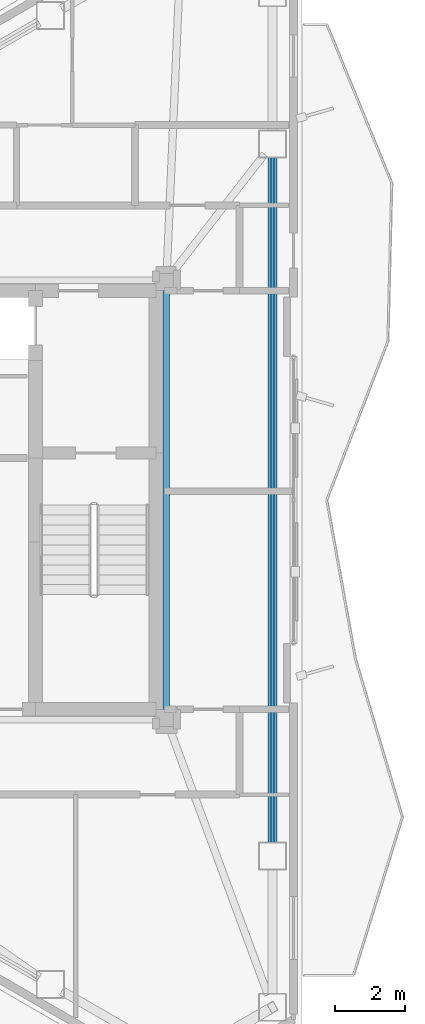
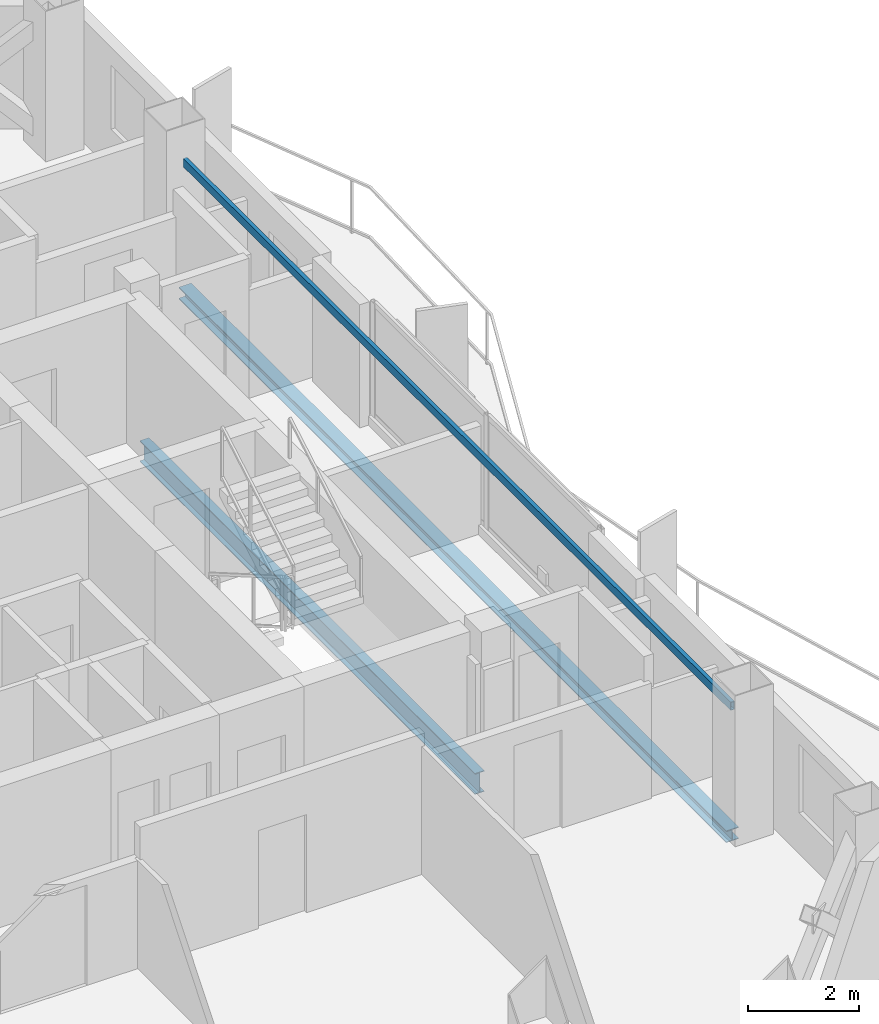
# One storey, part 11 of 18: 3 beams.
"""IFC4 building model written with IfcOpenShell, lengths in metres."""

from ifc_helpers import new_model, si_unit, direction, frame, origin, origin_2d, place, context, subcontext, project, spatial, hollow_rectangle, i_section, extrude, material, material_profile, profile_set, type_object, element, save


model = new_model("IFC4")

# Units and contexts
model_context = context("Model", 3, precision=1e-05, world=origin(), true_north=direction((0.0, 1.0)))
body_context = subcontext(model_context, "Body", "Model", "MODEL_VIEW")
ifc_project = project(units=[si_unit("LENGTHUNIT", "METRE"), si_unit("AREAUNIT", "SQUARE_METRE"), si_unit("VOLUMEUNIT", "CUBIC_METRE"), si_unit("PLANEANGLEUNIT", "RADIAN"), si_unit("MASSUNIT", "GRAM", prefix="KILO")], contexts=[model_context])

# Site, building, storey
site_placement = place(None, origin())
site = spatial("IfcSite", under=ifc_project, at=site_placement, CompositionType="ELEMENT")
building_placement = place(site_placement, origin())
building = spatial("IfcBuilding", under=site, at=building_placement, Name="Mersakhor Tower and Convention Hall", CompositionType="ELEMENT")
storey_placement = place(building_placement, frame((0.0, 0.0, 243.0)))
storey = spatial("IfcBuildingStorey", under=building, at=storey_placement, Name="L68", CompositionType="ELEMENT", Elevation=243.0)

# Beams
ifc_material_1 = material(Name="Steel S355", Category="steel")
ifc_material_profile_1 = material_profile(ifc_material_1, i_section(OverallWidth=0.19140625, OverallDepth=0.4599609375, WebThickness=0.010009765625, FlangeThickness=0.01611328125, at=origin_2d()), Name="UB 457x191x82")
ifc_profile_set_1 = profile_set([ifc_material_profile_1], Name="Steel S355")
beam_type_1 = type_object("IfcBeamType", Name="BM-FB-457", PredefinedType="BEAM", material=ifc_profile_set_1)
beam_1_placement = place(storey_placement, frame((36.10009765625, 32.77001953125, -0.449951171875), z_axis=(0.0, -1.0, 0.0), x_axis=(1.0, 0.0, 0.0)))
element("IfcBeam", 1, at=beam_1_placement, inside=storey, type_object=beam_type_1, Name="L68 Core Ring Tie Beam CRB-3", PredefinedType="BEAM", context=body_context, shape_type="SweptSolid", body=[
    extrude(i_section(OverallWidth=0.19140625, OverallDepth=0.4599609375, WebThickness=0.010009765625, FlangeThickness=0.01611328125, at=origin_2d()), origin(), (0.0, 0.0, 1.0), 12.0400390625),
])
ifc_material_2 = material(Name="Steel S355", Category="steel")
ifc_material_profile_2 = material_profile(ifc_material_2, hollow_rectangle(XDim=0.080078125, YDim=0.179931640625, WallThickness=0.008056640625, at=origin_2d()), Name="RHS 180x80x8")
ifc_profile_set_2 = profile_set([ifc_material_profile_2], Name="Steel S355")
beam_type_2 = type_object("IfcBeamType", Name="BM-GRT-RHS180", PredefinedType="USERDEFINED", material=ifc_profile_set_2)
beam_2_placement = place(storey_placement, frame((39.142822265625, 36.580810546875, 2.47998046875), z_axis=(0.0, -1.0, 0.0), x_axis=(1.0, 0.0, 0.0)))
element("IfcBeam", 2, at=beam_2_placement, inside=storey, type_object=beam_type_2, Name="L68 Facade Support Girt GRT-F2", ObjectType="GIRT", PredefinedType="USERDEFINED", context=body_context, shape_type="SweptSolid", body=[
    extrude(hollow_rectangle(XDim=0.080078125, YDim=0.179931640625, WallThickness=0.008056640625, at=origin_2d()), origin(), (0.0, 0.0, 1.0), 19.66162109375),
])
ifc_material_3 = material(Name="Steel S355", Category="steel")
ifc_material_profile_3 = material_profile(ifc_material_3, i_section(OverallWidth=0.25634765625, OverallDepth=0.26025390625, WebThickness=0.01025390625, FlangeThickness=0.017333984375, at=origin_2d()), Name="UC 254x254x89")
ifc_profile_set_3 = profile_set([ifc_material_profile_3], Name="Steel S355")
beam_type_3 = type_object("IfcBeamType", Name="BM-SPD-UC254", PredefinedType="SPANDREL", material=ifc_profile_set_3)
beam_3_placement = place(storey_placement, frame((39.142822265625, 36.580810546875, -0.35009765625), z_axis=(0.0, -1.0, 0.0), x_axis=(1.0, 0.0, 0.0)))
element("IfcBeam", 3, at=beam_3_placement, inside=storey, type_object=beam_type_3, Name="L68 Perimeter Spandrel Beam SPB-06", PredefinedType="SPANDREL", context=body_context, shape_type="SweptSolid", body=[
    extrude(i_section(OverallWidth=0.25634765625, OverallDepth=0.26025390625, WebThickness=0.01025390625, FlangeThickness=0.017333984375, at=origin_2d()), origin(), (0.0, 0.0, 1.0), 19.66162109375),
])

save(model, "model.ifc")
